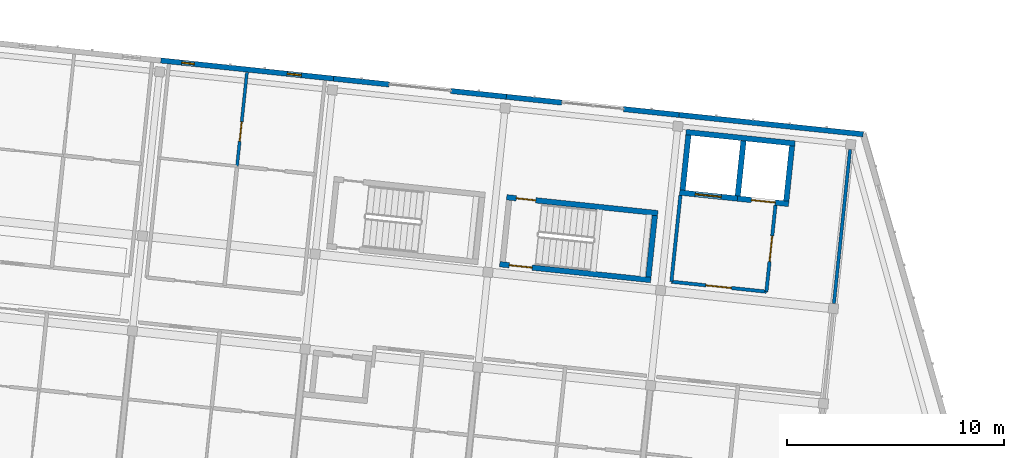
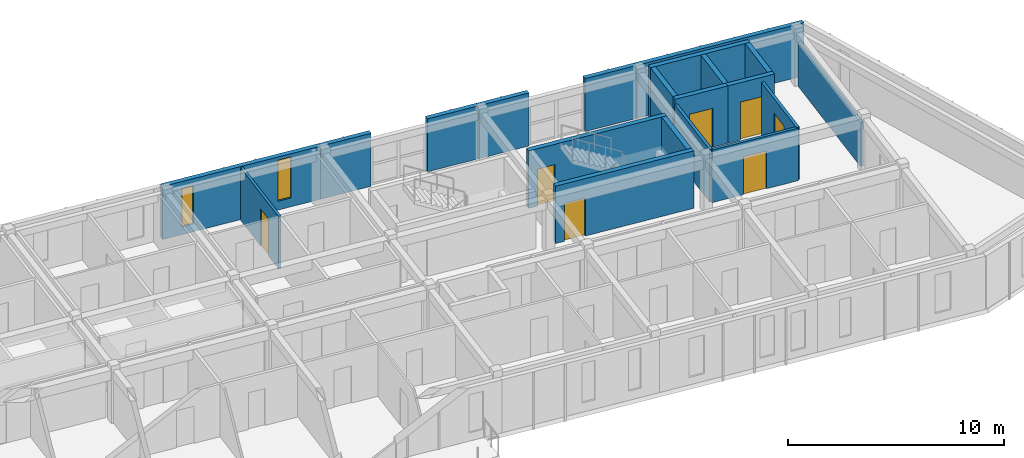
# One storey, part 33 of 56: 20 walls, 7 doors, 2 windows, 9 openings.
"""IFC4 building model written with IfcOpenShell, lengths in metres."""

from ifc_helpers import new_model, si_unit, direction, frame, frame_2d, origin, place, context, subcontext, project, spatial, rectangle, extrude, material, layer, layer_set, type_object, element, fill, save


model = new_model("IFC4")

# Units and contexts
model_context = context("Model", 3, precision=1e-05, world=origin(), true_north=direction((0.0, 1.0)))
body_context = subcontext(model_context, "Body", "Model", "MODEL_VIEW")
ifc_project = project(units=[si_unit("LENGTHUNIT", "METRE"), si_unit("AREAUNIT", "SQUARE_METRE"), si_unit("VOLUMEUNIT", "CUBIC_METRE"), si_unit("PLANEANGLEUNIT", "RADIAN"), si_unit("MASSUNIT", "GRAM", prefix="KILO")], contexts=[model_context])

# Site, building, storey
site_placement = place(None, origin())
site = spatial("IfcSite", under=ifc_project, at=site_placement, CompositionType="ELEMENT")
building_placement = place(site_placement, origin())
building = spatial("IfcBuilding", under=site, at=building_placement, Name="Kestramere Prow Commons", CompositionType="ELEMENT")
storey_placement = place(building_placement, frame((0.0, 0.0, 27.89990234375)))
storey = spatial("IfcBuildingStorey", under=building, at=storey_placement, Name="L08", CompositionType="ELEMENT", Elevation=27.89990234375)

# Wall, openings, windows
ifc_material_1 = material(Name="Fluoropolymer Standing-Seam Zinc-Aluminium Cladding", Category="aluminium")
ifc_layer_1 = layer(ifc_material_1, 0.239990234375)
ifc_layer_set_1 = layer_set([ifc_layer_1], Name="Fluoropolymer Standing-Seam Zinc-Aluminium Cladding")
wall_type_1 = type_object("IfcWallType", Name="EW-SEAM-240", PredefinedType="SOLIDWALL", material=ifc_layer_set_1)
wall_1_placement = place(storey_placement, frame((128.015869140625, 113.142333984375, 0.0), z_axis=(0.0, 0.0, 1.0), x_axis=(0.994522662826, -0.104521161134, 0.0)))
wall_1 = element("IfcWall", 1, at=wall_1_placement, inside=storey, type_object=wall_type_1, Name="Block B L08 North Standing-Seam Wall 3", PredefinedType="SOLIDWALL", context=body_context, shape_type="SweptSolid", body=[
    extrude(rectangle(XDim=8.0, YDim=0.239990234375, at=frame_2d((4.0, 0.0))), origin(), (0.0, 0.0, 1.0), 3.0),
])
opening_1_placement = place(wall_1_placement, frame((0.971923828125, 0.0, 0.43994140625)))
opening_1 = element("IfcOpeningElement", 2, at=opening_1_placement, cuts=wall_1, Name="Opening WN-01", PredefinedType="OPENING", context=body_context, shape_type="SweptSolid", body=[
    extrude(rectangle(XDim=0.580078125, YDim=2.159912109375, at=frame_2d((0.2900390625, 1.080078125))), frame((0.0, 0.135009765625, 0.0), z_axis=(0.0, -1.0, 0.0), x_axis=(1.0, 0.0, 0.0)), (0.0, 0.0, 1.0), 0.27001953125),
])
opening_2_placement = place(wall_1_placement, frame((5.85009765625, 0.0, 0.5)))
opening_2 = element("IfcOpeningElement", 3, at=opening_2_placement, cuts=wall_1, Name="Opening WN-05", PredefinedType="OPENING", context=body_context, shape_type="SweptSolid", body=[
    extrude(rectangle(XDim=0.659912109375, YDim=2.320068359375, at=frame_2d((0.330078125, 1.16015625))), frame((0.0, 0.135009765625, 0.0), z_axis=(0.0, -1.0, 0.0), x_axis=(1.0, 0.0, 0.0)), (0.0, 0.0, 1.0), 0.27001953125),
])
ifc_material_2 = material(Name="Low-E Laminated Double Glazing", Category="glass")
window_type_1 = type_object("IfcWindowType", Name="WN-NAR-580A", PartitioningType="SINGLE_PANEL", PredefinedType="WINDOW", material=ifc_material_2)
window_1_placement = place(opening_1_placement, origin())
window_1 = element("IfcWindow", 4, at=window_1_placement, inside=storey, type_object=window_type_1, Name="WN-B-L08-N-2-0", OverallHeight=2.159912109375, OverallWidth=0.580078125, PartitioningType="SINGLE_PANEL", PredefinedType="WINDOW", context=body_context, shape_type="SweptSolid", body=[
    extrude(rectangle(XDim=0.580078125, YDim=2.159912109375, at=frame_2d((0.2900390625, 1.080078125))), frame((0.0, 0.030029296875, 0.0), z_axis=(0.0, -1.0, 0.0), x_axis=(1.0, 0.0, 0.0)), (0.0, 0.0, 1.0), 0.06005859375),
])
fill(opening_1, window_1)
window_type_2 = type_object("IfcWindowType", Name="WN-NAR-660A", PartitioningType="SINGLE_PANEL", PredefinedType="WINDOW", material=ifc_material_2)
window_2_placement = place(opening_2_placement, origin())
window_2 = element("IfcWindow", 5, at=window_2_placement, inside=storey, type_object=window_type_2, Name="WN-B-L08-N-2-1", OverallHeight=2.320068359375, OverallWidth=0.659912109375, PartitioningType="SINGLE_PANEL", PredefinedType="WINDOW", context=body_context, shape_type="SweptSolid", body=[
    extrude(rectangle(XDim=0.659912109375, YDim=2.320068359375, at=frame_2d((0.330078125, 1.16015625))), frame((0.0, 0.030029296875, 0.0), z_axis=(0.0, -1.0, 0.0), x_axis=(1.0, 0.0, 0.0)), (0.0, 0.0, 1.0), 0.06005859375),
])
fill(opening_2, window_2)

# Walls
for number, where, z_axis, x_axis, name in (
    (6, (135.97216796875, 112.30615234375, 0.0), (0.0, 0.0, 1.0), (0.99451635776, -0.104581136677, 0.0), "Block B L08 North Standing-Seam Pier 4L"),
    (7, (141.367431640625, 111.739013671875, 0.0), (0.0, 0.0, 1.0), (0.99451635776, -0.104581136677, 0.0), "Block B L08 North Standing-Seam Pier 4R"),
):
    element("IfcWall", number, at=place(storey_placement, frame(where, z_axis=z_axis, x_axis=x_axis)), inside=storey, type_object=wall_type_1, Name=name, PredefinedType="SOLIDWALL", context=body_context, shape_type="SweptSolid", body=[
        extrude(rectangle(XDim=2.574951171875, YDim=0.239990234375, at=frame_2d((1.28759765625, 0.0))), origin(), (0.0, 0.0, 1.0), 3.0),
    ])
wall_2_placement = place(storey_placement, frame((143.92822265625, 111.4697265625, 0.0), z_axis=(0.0, 0.0, 1.0), x_axis=(0.994527249958, -0.104477505191, 0.0)))
element("IfcWall", 8, at=wall_2_placement, inside=storey, type_object=wall_type_1, Name="Block B L08 North Standing-Seam Pier 5L", PredefinedType="SOLIDWALL", context=body_context, shape_type="SweptSolid", body=[
    extrude(rectangle(XDim=2.5751953125, YDim=0.239990234375, at=frame_2d((1.28759765625, 0.0))), origin(), (0.0, 0.0, 1.0), 3.0),
])
wall_3_placement = place(storey_placement, frame((149.32373046875, 110.90283203125, 0.0), z_axis=(0.0, 0.0, 1.0), x_axis=(0.99451635776, -0.104581136677, 0.0)))
element("IfcWall", 9, at=wall_3_placement, inside=storey, type_object=wall_type_1, Name="Block B L08 North Standing-Seam Pier 5R", PredefinedType="SOLIDWALL", context=body_context, shape_type="SweptSolid", body=[
    extrude(rectangle(XDim=2.574951171875, YDim=0.239990234375, at=frame_2d((1.28759765625, 0.0))), origin(), (0.0, 0.0, 1.0), 3.0),
])
wall_4_placement = place(storey_placement, frame((151.884521484375, 110.633544921875, 0.0), z_axis=(0.0, 0.0, 1.0), x_axis=(0.994521760736, -0.104529744196, 0.0)))
element("IfcWall", 10, at=wall_4_placement, inside=storey, type_object=wall_type_1, Name="Block B L08 North Standing-Seam Wall 6", PredefinedType="SOLIDWALL", context=body_context, shape_type="SweptSolid", body=[
    extrude(rectangle(XDim=8.52490234375, YDim=0.239990234375, at=frame_2d((4.262451171875, 0.0))), origin(), (0.0, 0.0, 1.0), 3.0),
])
ifc_material_3 = material(Name="Concrete C40/50", Category="concrete")
ifc_layer_2 = layer(ifc_material_3, 0.25)
ifc_layer_set_2 = layer_set([ifc_layer_2], Name="Concrete C40/50")
wall_type_2 = type_object("IfcWallType", Name="W-CORE-250", PredefinedType="SHEAR", material=ifc_layer_set_2)
wall_5_placement = place(storey_placement, frame((152.203857421875, 109.845947265625, 0.0), z_axis=(0.0, 0.0, 1.0), x_axis=(0.994522922189, -0.104518693261, 0.0)))
element("IfcWall", 11, at=wall_5_placement, inside=storey, type_object=wall_type_2, Name="Block B L08 Lift Core Back Wall", PredefinedType="SHEAR", context=body_context, shape_type="SweptSolid", body=[
    extrude(rectangle(XDim=5.050048828125, YDim=0.25, at=frame_2d((2.52490234375, 0.0))), origin(), (0.0, 0.0, 1.0), 3.25),
])

# Wall, opening, door
wall_6_placement = place(storey_placement, frame((151.9111328125, 107.061279296875, 0.0), z_axis=(0.0, 0.0, 1.0), x_axis=(0.994524939068, -0.104499500343, 0.0)))
wall_6 = element("IfcWall", 12, at=wall_6_placement, inside=storey, type_object=wall_type_2, Name="Block B L08 Fire Lift Shaft Front Wall", PredefinedType="SHEAR", context=body_context, shape_type="SweptSolid", body=[
    extrude(rectangle(XDim=2.675048828125, YDim=0.25, at=frame_2d((1.33740234375, 0.0))), origin(), (0.0, 0.0, 1.0), 3.25),
])
opening_3_placement = place(wall_6_placement, frame((0.719970703125, 0.0, 0.0)))
opening_3 = element("IfcOpeningElement", 13, at=opening_3_placement, cuts=wall_6, Name="Opening LD-02", PredefinedType="OPENING", context=body_context, shape_type="SweptSolid", body=[
    extrude(rectangle(XDim=1.199951171875, YDim=2.199951171875, at=frame_2d((0.60009765625, 1.10009765625))), frame((0.0, 0.139892578125, 0.0), z_axis=(0.0, -1.0, 0.0), x_axis=(1.0, 0.0, 0.0)), (0.0, 0.0, 1.0), 0.280029296875),
])
ifc_material_4 = material(Name="Brushed Stainless Steel 316", Category="steel")
door_type_1 = type_object("IfcDoorType", Name="LD-02", OperationType="DOUBLE_DOOR_SLIDING", PredefinedType="DOOR", material=ifc_material_4)
door_1_placement = place(opening_3_placement, origin())
door_1 = element("IfcDoor", 14, at=door_1_placement, inside=storey, type_object=door_type_1, Name="FL-B1 L08 Lift Landing Door", OperationType="DOUBLE_DOOR_SLIDING", OverallHeight=2.199951171875, OverallWidth=1.199951171875, PredefinedType="DOOR", context=body_context, shape_type="SweptSolid", body=[
    extrude(rectangle(XDim=1.199951171875, YDim=2.199951171875, at=frame_2d((0.60009765625, 1.10009765625))), frame((0.0, 0.02490234375, 0.0), z_axis=(0.0, -1.0, 0.0), x_axis=(1.0, 0.0, 0.0)), (0.0, 0.0, 1.0), 0.050048828125),
])
fill(opening_3, door_1)

wall_7_placement = place(storey_placement, frame((154.571533203125, 106.78173828125, 0.0), z_axis=(0.0, 0.0, 1.0), x_axis=(0.994520650134, -0.1045403102, 0.0)))
wall_7 = element("IfcWall", 15, at=wall_7_placement, inside=storey, type_object=wall_type_2, Name="Block B L08 Passenger Lift Shaft Front Wall", PredefinedType="SHEAR", context=body_context, shape_type="SweptSolid", body=[
    extrude(rectangle(XDim=2.375, YDim=0.25, at=frame_2d((1.1875, 0.0))), origin(), (0.0, 0.0, 1.0), 3.25),
])
opening_4_placement = place(wall_7_placement, frame((0.64990234375, 0.0, 0.0)))
opening_4 = element("IfcOpeningElement", 16, at=opening_4_placement, cuts=wall_7, Name="Opening LD-01", PredefinedType="OPENING", context=body_context, shape_type="SweptSolid", body=[
    extrude(rectangle(XDim=1.10009765625, YDim=2.14990234375, at=frame_2d((0.550048828125, 1.074951171875))), frame((0.0, 0.139892578125, 0.0), z_axis=(0.0, -1.0, 0.0), x_axis=(1.0, 0.0, 0.0)), (0.0, 0.0, 1.0), 0.280029296875),
])
ifc_material_5 = material(Name="Brushed Stainless Steel 304", Category="steel")
door_type_2 = type_object("IfcDoorType", Name="LD-01", OperationType="DOUBLE_DOOR_SLIDING", PredefinedType="DOOR", material=ifc_material_5)
door_2_placement = place(opening_4_placement, origin())
door_2 = element("IfcDoor", 17, at=door_2_placement, inside=storey, type_object=door_type_2, Name="PL-B2 L08 Lift Landing Door", OperationType="DOUBLE_DOOR_SLIDING", OverallHeight=2.14990234375, OverallWidth=1.10009765625, PredefinedType="DOOR", context=body_context, shape_type="SweptSolid", body=[
    extrude(rectangle(XDim=1.10009765625, YDim=2.14990234375, at=frame_2d((0.550048828125, 1.074951171875))), frame((0.0, 0.02490234375, 0.0), z_axis=(0.0, -1.0, 0.0), x_axis=(1.0, 0.0, 0.0)), (0.0, 0.0, 1.0), 0.050048828125),
])
fill(opening_4, door_2)

# Walls
for number, where, z_axis, x_axis, name in (
    (18, (152.048583984375, 107.172607421875, 0.0), (0.0, 0.0, 1.0), (0.104555197931, 0.994519085079, 0.0), "Block B L08 Lift Core Side Wall L"),
    (19, (154.584716796875, 106.906005859375, 0.0), (0.0, 0.0, 1.0), (0.104555197931, 0.994519085079, 0.0), "Block B L08 Lift Core Side Wall M"),
):
    element("IfcWall", number, at=place(storey_placement, frame(where, z_axis=z_axis, x_axis=x_axis)), inside=storey, type_object=wall_type_2, Name=name, PredefinedType="SHEAR", context=body_context, shape_type="SweptSolid", body=[
        extrude(rectangle(XDim=2.5498046875, YDim=0.25, at=frame_2d((1.27490234375, 0.0))), origin(), (0.0, 0.0, 1.0), 3.25),
    ])
wall_8_placement = place(storey_placement, frame((156.822265625, 106.670654296875, 0.0), z_axis=(0.0, 0.0, 1.0), x_axis=(0.104545242946, 0.99452013161, 0.0)))
element("IfcWall", 20, at=wall_8_placement, inside=storey, type_object=wall_type_2, Name="Block B L08 Lift Core Side Wall R", PredefinedType="SHEAR", context=body_context, shape_type="SweptSolid", body=[
    extrude(rectangle(XDim=2.550048828125, YDim=0.25, at=frame_2d((1.27490234375, 0.0))), origin(), (0.0, 0.0, 1.0), 3.25),
])

# Wall, opening, door
wall_9_placement = place(storey_placement, frame((143.94482421875, 106.8427734375, 0.0), z_axis=(0.0, 0.0, 1.0), x_axis=(0.994522066748, -0.104526832686, 0.0)))
wall_9 = element("IfcWall", 21, at=wall_9_placement, inside=storey, type_object=wall_type_2, Name="ST-B2 L08 North Shaft Wall", PredefinedType="SHEAR", context=body_context, shape_type="SweptSolid", body=[
    extrude(rectangle(XDim=7.0, YDim=0.25, at=frame_2d((3.5, 0.0))), origin(), (0.0, 0.0, 1.0), 3.25),
])
opening_5_placement = place(wall_9_placement, frame((0.449951171875, 0.0, 0.0)))
opening_5 = element("IfcOpeningElement", 22, at=opening_5_placement, cuts=wall_9, Name="Opening ID-08", PredefinedType="OPENING", context=body_context, shape_type="SweptSolid", body=[
    extrude(rectangle(XDim=0.89990234375, YDim=2.10009765625, at=frame_2d((0.449951171875, 1.050048828125))), frame((0.0, 0.139892578125, 0.0), z_axis=(0.0, -1.0, 0.0), x_axis=(1.0, 0.0, 0.0)), (0.0, 0.0, 1.0), 0.280029296875),
])
ifc_material_6 = material(Name="Engineered Timber Flush Door", Category="wood")
door_type_3 = type_object("IfcDoorType", Name="D-RM-01", OperationType="NOTDEFINED", PredefinedType="DOOR", material=ifc_material_6)
door_3_placement = place(opening_5_placement, origin())
door_3 = element("IfcDoor", 23, at=door_3_placement, inside=storey, type_object=door_type_3, Name="ST-B2 L08 North Room Door", OperationType="SINGLE_SWING_RIGHT", OverallHeight=2.10009765625, OverallWidth=0.89990234375, PredefinedType="DOOR", context=body_context, shape_type="SweptSolid", body=[
    extrude(rectangle(XDim=0.89990234375, YDim=2.10009765625, at=frame_2d((0.449951171875, 1.050048828125))), frame((0.0, 0.02490234375, 0.0), z_axis=(0.0, -1.0, 0.0), x_axis=(1.0, 0.0, 0.0)), (0.0, 0.0, 1.0), 0.050048828125),
])
fill(opening_5, door_3)

wall_10_placement = place(storey_placement, frame((143.62060546875, 103.759765625, 0.0), z_axis=(0.0, 0.0, 1.0), x_axis=(0.994522066748, -0.104526832686, 0.0)))
wall_10 = element("IfcWall", 24, at=wall_10_placement, inside=storey, type_object=wall_type_2, Name="ST-B2 L08 Corridor Shaft Wall", PredefinedType="SHEAR", context=body_context, shape_type="SweptSolid", body=[
    extrude(rectangle(XDim=7.0, YDim=0.25, at=frame_2d((3.5, 0.0))), origin(), (0.0, 0.0, 1.0), 3.25),
])
opening_6_placement = place(wall_10_placement, frame((0.449951171875, 0.0, 0.0)))
opening_6 = element("IfcOpeningElement", 25, at=opening_6_placement, cuts=wall_10, Name="Opening ID-01", PredefinedType="OPENING", context=body_context, shape_type="SweptSolid", body=[
    extrude(rectangle(XDim=1.050048828125, YDim=2.14990234375, at=frame_2d((0.52490234375, 1.074951171875))), frame((0.0, 0.139892578125, 0.0), z_axis=(0.0, -1.0, 0.0), x_axis=(1.0, 0.0, 0.0)), (0.0, 0.0, 1.0), 0.280029296875),
])
ifc_material_7 = material(Name="Fire-Rated Timber and Steel Frame", Category="steel")
door_type_4 = type_object("IfcDoorType", Name="FD-ST-01", OperationType="NOTDEFINED", PredefinedType="DOOR", material=ifc_material_7)
door_4_placement = place(opening_6_placement, origin())
door_4 = element("IfcDoor", 26, at=door_4_placement, inside=storey, type_object=door_type_4, Name="ST-B2 L08 Protected Stair Door", OperationType="SINGLE_SWING_LEFT", OverallHeight=2.14990234375, OverallWidth=1.050048828125, PredefinedType="DOOR", context=body_context, shape_type="SweptSolid", body=[
    extrude(rectangle(XDim=1.050048828125, YDim=2.14990234375, at=frame_2d((0.52490234375, 1.074951171875))), frame((0.0, 0.02490234375, 0.0), z_axis=(0.0, -1.0, 0.0), x_axis=(1.0, 0.0, 0.0)), (0.0, 0.0, 1.0), 0.050048828125),
])
fill(opening_6, door_4)

# Wall
wall_11_placement = place(storey_placement, frame((150.47119140625, 103.16552734375, 0.0), z_axis=(0.0, 0.0, 1.0), x_axis=(0.104515324063, 0.994523276267, 0.0)))
element("IfcWall", 27, at=wall_11_placement, inside=storey, type_object=wall_type_2, Name="ST-B2 L08 Far Shaft Wall", PredefinedType="SHEAR", context=body_context, shape_type="SweptSolid", body=[
    extrude(rectangle(XDim=2.849853515625, YDim=0.25, at=frame_2d((1.4248046875, 0.0))), origin(), (0.0, 0.0, 1.0), 3.25),
])

# Wall, opening, door
ifc_material_8 = material(Name="Fire-Rated Calcium Silicate Wall")
ifc_layer_3 = layer(ifc_material_8, 0.155029296875)
ifc_layer_set_3 = layer_set([ifc_layer_3], Name="Fire-Rated Calcium Silicate Wall")
wall_type_3 = type_object("IfcWallType", Name="W-FIRE-150", PredefinedType="PARTITIONING", material=ifc_layer_set_3)
wall_12_placement = place(storey_placement, frame((151.52978515625, 102.95361328125, 0.0), z_axis=(0.0, 0.0, 1.0), x_axis=(0.994521251134, -0.104534592565, 0.0)))
wall_12 = element("IfcWall", 28, at=wall_12_placement, inside=storey, type_object=wall_type_3, Name="Interior Partition PW-B-L08-FFL-S", PredefinedType="PARTITIONING", context=body_context, shape_type="SweptSolid", body=[
    extrude(rectangle(XDim=4.400146484375, YDim=0.155029296875, at=frame_2d((2.2001953125, 0.0))), origin(), (0.0, 0.0, 1.0), 2.97021484375),
])
opening_7_placement = place(wall_12_placement, frame((1.60009765625, 0.0, 0.0)))
opening_7 = element("IfcOpeningElement", 29, at=opening_7_placement, cuts=wall_12, Name="Opening ID-03", PredefinedType="OPENING", context=body_context, shape_type="SweptSolid", body=[
    extrude(rectangle(XDim=1.179931640625, YDim=2.14990234375, at=frame_2d((0.58984375, 1.074951171875))), frame((0.0, 0.092529296875, 0.0), z_axis=(0.0, -1.0, 0.0), x_axis=(1.0, 0.0, 0.0)), (0.0, 0.0, 1.0), 0.18505859375),
])
ifc_material_9 = material(Name="Fire-Rated Glazed Smoke-Stop Door")
door_type_5 = type_object("IfcDoorType", Name="FD-LB-01", OperationType="NOTDEFINED", PredefinedType="DOOR", material=ifc_material_9)
door_5_placement = place(opening_7_placement, origin())
door_5 = element("IfcDoor", 30, at=door_5_placement, inside=storey, type_object=door_type_5, Name="Interior Door DR-B-L08-FFL", OperationType="SINGLE_SWING_LEFT", OverallHeight=2.14990234375, OverallWidth=1.179931640625, PredefinedType="DOOR", context=body_context, shape_type="SweptSolid", body=[
    extrude(rectangle(XDim=1.179931640625, YDim=2.14990234375, at=frame_2d((0.58984375, 1.074951171875))), frame((0.0, 0.02490234375, 0.0), z_axis=(0.0, -1.0, 0.0), x_axis=(1.0, 0.0, 0.0)), (0.0, 0.0, 1.0), 0.050048828125),
])
fill(opening_7, door_5)

# Wall
wall_13_placement = place(storey_placement, frame((151.52978515625, 102.95361328125, 0.0), z_axis=(0.0, 0.0, 1.0), x_axis=(0.104554517933, 0.994519156568, 0.0)))
element("IfcWall", 31, at=wall_13_placement, inside=storey, type_object=wall_type_3, Name="Interior Partition PW-B-L08-FFL-W", PredefinedType="PARTITIONING", context=body_context, shape_type="SweptSolid", body=[
    extrude(rectangle(XDim=4.0, YDim=0.155029296875, at=frame_2d((2.0, 0.0))), origin(), (0.0, 0.0, 1.0), 2.97021484375),
])

# Wall, opening, door
wall_14_placement = place(storey_placement, frame((155.90576171875, 102.49365234375, 0.0), z_axis=(0.0, 0.0, 1.0), x_axis=(0.104494148666, 0.99452550138, 0.0)))
wall_14 = element("IfcWall", 32, at=wall_14_placement, inside=storey, type_object=wall_type_3, Name="Interior Partition PW-B-L08-FFL-E", PredefinedType="PARTITIONING", context=body_context, shape_type="SweptSolid", body=[
    extrude(rectangle(XDim=4.0, YDim=0.155029296875, at=frame_2d((2.0, 0.0))), origin(), (0.0, 0.0, 1.0), 2.97021484375),
])
opening_8_placement = place(wall_14_placement, frame((1.39990234375, 0.0, 0.0)))
opening_8 = element("IfcOpeningElement", 33, at=opening_8_placement, cuts=wall_14, Name="Opening ID-03", PredefinedType="OPENING", context=body_context, shape_type="SweptSolid", body=[
    extrude(rectangle(XDim=1.179931640625, YDim=2.14990234375, at=frame_2d((0.58984375, 1.074951171875))), frame((0.0, 0.092529296875, 0.0), z_axis=(0.0, -1.0, 0.0), x_axis=(1.0, 0.0, 0.0)), (0.0, 0.0, 1.0), 0.18505859375),
])
door_6_placement = place(opening_8_placement, origin())
door_6 = element("IfcDoor", 34, at=door_6_placement, inside=storey, type_object=door_type_5, Name="Interior Door DR-B-L08-FFL-PL", OperationType="SINGLE_SWING_LEFT", OverallHeight=2.14990234375, OverallWidth=1.179931640625, PredefinedType="DOOR", context=body_context, shape_type="SweptSolid", body=[
    extrude(rectangle(XDim=1.179931640625, YDim=2.14990234375, at=frame_2d((0.58984375, 1.074951171875))), frame((0.0, 0.02490234375, 0.0), z_axis=(0.0, -1.0, 0.0), x_axis=(1.0, 0.0, 0.0)), (0.0, 0.0, 1.0), 0.050048828125),
])
fill(opening_8, door_6)

ifc_material_10 = material(Name="Masonry Compartment Wall", Category="masonry")
ifc_layer_4 = layer(ifc_material_10, 0.139892578125)
ifc_layer_set_4 = layer_set([ifc_layer_4], Name="Masonry Compartment Wall")
wall_type_4 = type_object("IfcWallType", Name="W-PART-140", PredefinedType="PARTITIONING", material=ifc_layer_set_4)
wall_15_placement = place(storey_placement, frame((131.5263671875, 108.273681640625, 0.0), z_axis=(0.0, 0.0, 1.0), x_axis=(0.104520797474, 0.994522701046, 0.0)))
wall_15 = element("IfcWall", 35, at=wall_15_placement, inside=storey, type_object=wall_type_4, Name="Interior Partition PW-B-L08-LB-N2", PredefinedType="PARTITIONING", context=body_context, shape_type="SweptSolid", body=[
    extrude(rectangle(XDim=4.33984375, YDim=0.139892578125, at=frame_2d((2.169921875, 0.0))), origin(), (0.0, 0.0, 1.0), 2.97021484375),
])
opening_9_placement = place(wall_15_placement, frame((1.14990234375, 0.0, 0.0)))
opening_9 = element("IfcOpeningElement", 36, at=opening_9_placement, cuts=wall_15, Name="Opening ID-08", PredefinedType="OPENING", context=body_context, shape_type="SweptSolid", body=[
    extrude(rectangle(XDim=0.89990234375, YDim=2.10009765625, at=frame_2d((0.449951171875, 1.050048828125))), frame((0.0, 0.0849609375, 0.0), z_axis=(0.0, -1.0, 0.0), x_axis=(1.0, 0.0, 0.0)), (0.0, 0.0, 1.0), 0.169921875),
])
door_7_placement = place(opening_9_placement, origin())
door_7 = element("IfcDoor", 37, at=door_7_placement, inside=storey, type_object=door_type_3, Name="Interior Door DR-B-L08-BED-N2", OperationType="SINGLE_SWING_LEFT", OverallHeight=2.10009765625, OverallWidth=0.89990234375, PredefinedType="DOOR", context=body_context, shape_type="SweptSolid", body=[
    extrude(rectangle(XDim=0.89990234375, YDim=2.10009765625, at=frame_2d((0.449951171875, 1.050048828125))), frame((0.0, 0.02490234375, 0.0), z_axis=(0.0, -1.0, 0.0), x_axis=(1.0, 0.0, 0.0)), (0.0, 0.0, 1.0), 0.050048828125),
])
fill(opening_9, door_7)

# Wall
ifc_layer_5 = layer(ifc_material_10, 0.14990234375)
ifc_layer_set_5 = layer_set([ifc_layer_5], Name="Masonry Compartment Wall")
wall_type_5 = type_object("IfcWallType", Name="W-PART-150", PredefinedType="PARTITIONING", material=ifc_layer_set_5)
wall_16_placement = place(storey_placement, frame((159.015869140625, 101.95068359375, 0.0), z_axis=(0.0, 0.0, 1.0), x_axis=(0.104540404715, 0.994520640199, 0.0)))
element("IfcWall", 38, at=wall_16_placement, inside=storey, type_object=wall_type_5, Name="Interior Partition PW-B-L08-PRW-N", PredefinedType="PARTITIONING", context=body_context, shape_type="SweptSolid", body=[
    extrude(rectangle(XDim=7.1298828125, YDim=0.14990234375, at=frame_2d((3.56494140625, 0.0))), origin(), (0.0, 0.0, 1.0), 2.5),
])

save(model, "model.ifc")
